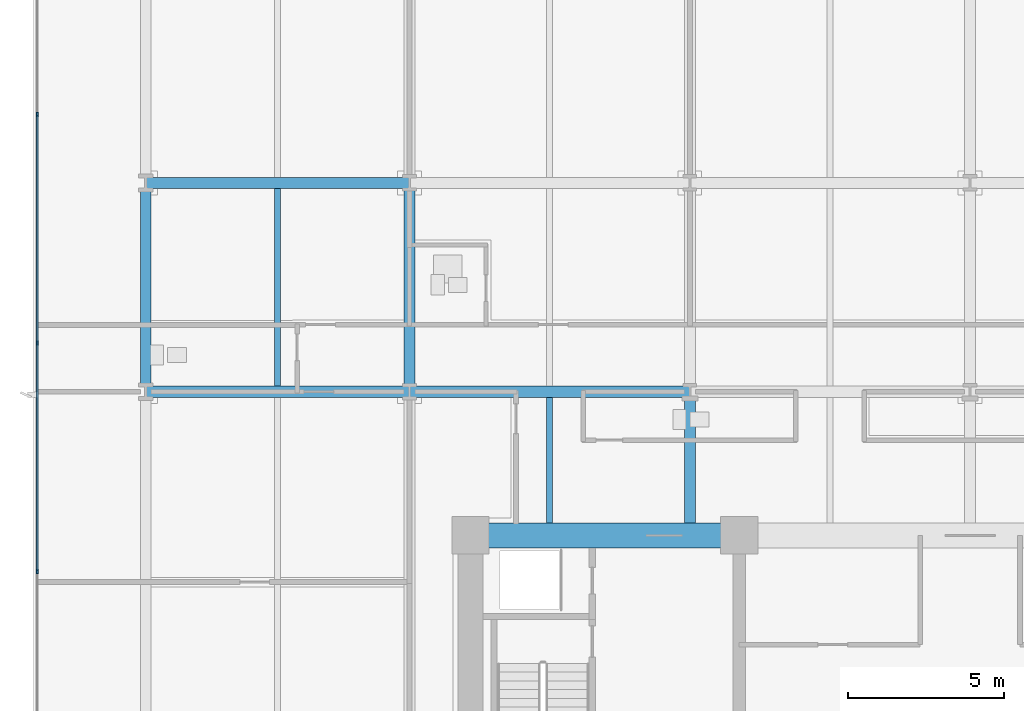
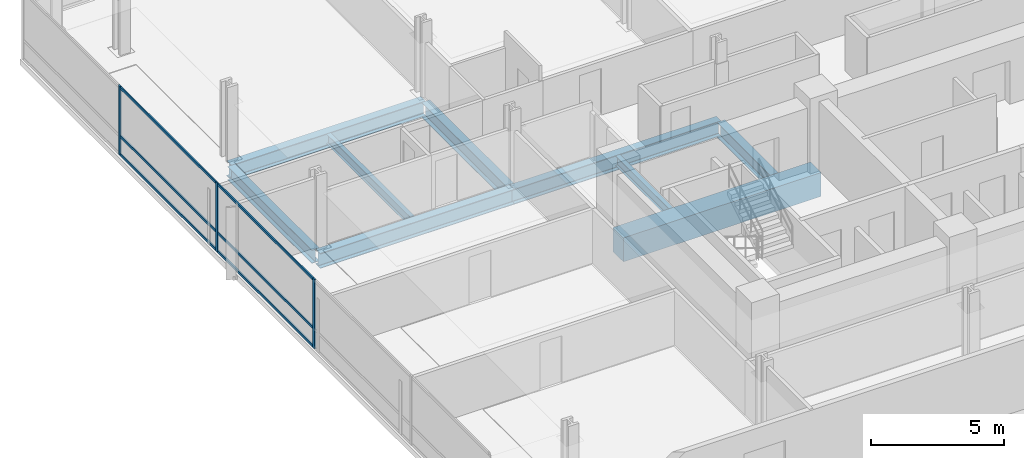
# One storey, part 4 of 21: 9 beams, 9 members, 1 element without a shape of its own.
"""IFC4 building model written with IfcOpenShell, lengths in metres."""

from ifc_helpers import new_model, si_unit, direction, frame, origin, origin_2d, place, context, subcontext, project, spatial, rectangle, i_section, extrude, material, material_profile, profile_set, type_object, element, aggregate, save


model = new_model("IFC4")

# Units and contexts
model_context = context("Model", 3, precision=1e-05, world=origin(), true_north=direction((0.0, 1.0)))
body_context = subcontext(model_context, "Body", "Model", "MODEL_VIEW")
ifc_project = project(units=[si_unit("LENGTHUNIT", "METRE"), si_unit("AREAUNIT", "SQUARE_METRE"), si_unit("VOLUMEUNIT", "CUBIC_METRE"), si_unit("PLANEANGLEUNIT", "RADIAN"), si_unit("MASSUNIT", "GRAM", prefix="KILO")], contexts=[model_context])

# Site, building, storey
site_placement = place(None, origin())
site = spatial("IfcSite", under=ifc_project, at=site_placement, CompositionType="ELEMENT")
building_placement = place(site_placement, origin())
building = spatial("IfcBuilding", under=site, at=building_placement, Name="Solmavex Isthmus Hotel", CompositionType="ELEMENT")
storey_placement = place(building_placement, frame((0.0, 0.0, 54.0)))
storey = spatial("IfcBuildingStorey", under=building, at=storey_placement, Name="L14", CompositionType="ELEMENT", Elevation=54.0)

# Beams
ifc_material_1 = material(Name="Steel ASTM A992 Grade 50", Category="steel")
ifc_material_profile_1 = material_profile(ifc_material_1, i_section(OverallWidth=0.354736328125, OverallDepth=0.695556640625, WebThickness=0.015380859375, FlangeThickness=0.02490234375, FilletRadius=0.017822265625, at=origin_2d()), Name="W27X146")
ifc_profile_set_1 = profile_set([ifc_material_profile_1], Name="Steel ASTM A992 Grade 50")
beam_type_1 = type_object("IfcBeamType", Name="BM-BG-W27X146", PredefinedType="BEAM", material=ifc_profile_set_1)
beam_1_placement = place(storey_placement, frame((-26.39990234375, 2.10009765625, -0.607666015625), z_axis=(1.0, 0.0, 0.0), x_axis=(0.0, 1.0, 0.0)))
element("IfcBeam", 1, at=beam_1_placement, inside=storey, type_object=beam_type_1, Name="Floor Girder L14-UG07", PredefinedType="BEAM", context=body_context, shape_type="SweptSolid", body=[
    extrude(i_section(OverallWidth=0.354736328125, OverallDepth=0.695556640625, WebThickness=0.015380859375, FlangeThickness=0.02490234375, FilletRadius=0.017822265625, at=origin_2d()), origin(), (0.0, 0.0, 1.0), 8.447998046875),
])
beam_2_placement = place(storey_placement, frame((-17.951904296875, 2.10009765625, -0.607666015625), z_axis=(1.0, 0.0, 0.0), x_axis=(0.0, 1.0, 0.0)))
element("IfcBeam", 2, at=beam_2_placement, inside=storey, type_object=beam_type_1, Name="Floor Girder L14-UG08", PredefinedType="BEAM", context=body_context, shape_type="SweptSolid", body=[
    extrude(i_section(OverallWidth=0.354736328125, OverallDepth=0.695556640625, WebThickness=0.015380859375, FlangeThickness=0.02490234375, FilletRadius=0.017822265625, at=origin_2d()), origin(), (0.0, 0.0, 1.0), 8.975830078125),
])
beam_3_placement = place(storey_placement, frame((-26.39990234375, 8.7880859375, -0.607666015625), z_axis=(1.0, 0.0, 0.0), x_axis=(0.0, 1.0, 0.0)))
element("IfcBeam", 3, at=beam_3_placement, inside=storey, type_object=beam_type_1, Name="Floor Girder L14-UG13", PredefinedType="BEAM", context=body_context, shape_type="SweptSolid", body=[
    extrude(i_section(OverallWidth=0.354736328125, OverallDepth=0.695556640625, WebThickness=0.015380859375, FlangeThickness=0.02490234375, FilletRadius=0.017822265625, at=origin_2d()), origin(), (0.0, 0.0, 1.0), 8.447998046875),
])
beam_4_placement = place(storey_placement, frame((-17.951904296875, 2.27734375, -0.607666015625), z_axis=(0.0, 1.0, 0.0), x_axis=(-1.0, 0.0, 0.0)))
element("IfcBeam", 4, at=beam_4_placement, inside=storey, type_object=beam_type_1, Name="Floor Beam L14-VG29", PredefinedType="BEAM", context=body_context, shape_type="SweptSolid", body=[
    extrude(i_section(OverallWidth=0.354736328125, OverallDepth=0.695556640625, WebThickness=0.015380859375, FlangeThickness=0.02490234375, FilletRadius=0.017822265625, at=origin_2d()), origin(), (0.0, 0.0, 1.0), 6.333251953125),
])
beam_5_placement = place(storey_placement, frame((-8.97607421875, -2.10009765625, -0.607666015625), z_axis=(0.0, 1.0, 0.0), x_axis=(-1.0, 0.0, 0.0)))
element("IfcBeam", 5, at=beam_5_placement, inside=storey, type_object=beam_type_1, Name="Floor Beam L14-VG32", PredefinedType="BEAM", context=body_context, shape_type="SweptSolid", body=[
    extrude(i_section(OverallWidth=0.354736328125, OverallDepth=0.695556640625, WebThickness=0.015380859375, FlangeThickness=0.02490234375, FilletRadius=0.017822265625, at=origin_2d()), origin(), (0.0, 0.0, 1.0), 4.022705078125),
])
ifc_material_profile_2 = material_profile(ifc_material_1, i_section(OverallWidth=0.1904296875, OverallDepth=0.456787109375, WebThickness=0.009033203125, FlangeThickness=0.014404296875, FilletRadius=0.0126953125, at=origin_2d()), Name="W18X50")
ifc_profile_set_2 = profile_set([ifc_material_profile_2], Name="Steel ASTM A992 Grade 50")
beam_type_2 = type_object("IfcBeamType", Name="BM-BJ-W18X50", PredefinedType="JOIST", material=ifc_profile_set_2)
beam_6_placement = place(storey_placement, frame((-22.176025390625, 2.27734375, -0.488525390625), z_axis=(0.0, 1.0, 0.0), x_axis=(-1.0, 0.0, 0.0)))
element("IfcBeam", 6, at=beam_6_placement, inside=storey, type_object=beam_type_2, Name="Secondary Floor Joist L14-J02", PredefinedType="JOIST", context=body_context, shape_type="SweptSolid", body=[
    extrude(i_section(OverallWidth=0.1904296875, OverallDepth=0.456787109375, WebThickness=0.009033203125, FlangeThickness=0.014404296875, FilletRadius=0.0126953125, at=origin_2d()), origin(), (0.0, 0.0, 1.0), 6.333251953125),
])
beam_7_placement = place(storey_placement, frame((-13.464111328125, -2.10009765625, -0.488525390625), z_axis=(0.0, 1.0, 0.0), x_axis=(-1.0, 0.0, 0.0)))
element("IfcBeam", 7, at=beam_7_placement, inside=storey, type_object=beam_type_2, Name="Secondary Floor Joist L14-J05", PredefinedType="JOIST", context=body_context, shape_type="SweptSolid", body=[
    extrude(i_section(OverallWidth=0.1904296875, OverallDepth=0.456787109375, WebThickness=0.009033203125, FlangeThickness=0.014404296875, FilletRadius=0.0126953125, at=origin_2d()), origin(), (0.0, 0.0, 1.0), 4.022705078125),
])
ifc_material_2 = material(Name="Concrete C70/85", Category="concrete")
ifc_material_profile_3 = material_profile(ifc_material_2, rectangle(XDim=0.800048828125, YDim=1.10009765625, at=origin_2d()), Name="RC800X1100")
ifc_profile_set_3 = profile_set([ifc_material_profile_3], Name="Concrete C70/85")
beam_type_3 = type_object("IfcBeamType", Name="BM-CB-800X1100", PredefinedType="BEAM", material=ifc_profile_set_3)
beam_8_placement = place(storey_placement, frame((-16.0, -2.5, -0.81005859375), z_axis=(1.0, 0.0, 0.0), x_axis=(0.0, 1.0, 0.0)))
element("IfcBeam", 8, at=beam_8_placement, inside=storey, type_object=beam_type_3, Name="Core Coupling Beam L14-CB4", PredefinedType="BEAM", context=body_context, shape_type="SweptSolid", body=[
    extrude(rectangle(XDim=0.800048828125, YDim=1.10009765625, at=origin_2d()), origin(), (0.0, 0.0, 1.0), 8.60009765625),
])
ifc_material_profile_4 = material_profile(ifc_material_1, i_section(OverallWidth=0.326416015625, OverallDepth=0.621826171875, WebThickness=0.015380859375, FlangeThickness=0.0244140625, FilletRadius=0.01513671875, at=origin_2d()), Name="W24X131")
ifc_profile_set_4 = profile_set([ifc_material_profile_4], Name="Steel ASTM A992 Grade 50")
beam_type_4 = type_object("IfcBeamType", Name="BM-SP-W24X131", PredefinedType="SPANDREL", material=ifc_profile_set_4)
beam_9_placement = place(storey_placement, frame((-26.39990234375, 2.27734375, -0.57080078125), z_axis=(0.0, 1.0, 0.0), x_axis=(-1.0, 0.0, 0.0)))
element("IfcBeam", 9, at=beam_9_placement, inside=storey, type_object=beam_type_4, Name="Floor Beam L14-VG26", PredefinedType="SPANDREL", context=body_context, shape_type="SweptSolid", body=[
    extrude(i_section(OverallWidth=0.326416015625, OverallDepth=0.621826171875, WebThickness=0.015380859375, FlangeThickness=0.0244140625, FilletRadius=0.01513671875, at=origin_2d()), origin(), (0.0, 0.0, 1.0), 6.333251953125),
])

# Curtain wall, members
ifc_material_3 = material(Name="Aluminium alloy 6063-T6", Category="aluminium")
curtain_wall_type = type_object("IfcCurtainWallType", Name="CW-SYS-06", PredefinedType="NOTDEFINED", material=ifc_material_3)
curtain_wall_placement = place(storey_placement, origin())
curtain_wall = element("IfcCurtainWall", 10, at=curtain_wall_placement, inside=storey, type_object=curtain_wall_type, Name="Stick Curtain Wall CWL-L14-W1", PredefinedType="NOTDEFINED")
ifc_material_profile_5 = material_profile(ifc_material_3, rectangle(XDim=0.06005859375, YDim=0.139892578125, at=origin_2d()), Name="CWM-60X140")
ifc_profile_set_5 = profile_set([ifc_material_profile_5], Name="Aluminium alloy 6063-T6")
member_type_1 = type_object("IfcMemberType", Name="CW-SYS-06-MUL", PredefinedType="MULLION", material=ifc_profile_set_5)
member_1_placement = place(storey_placement, frame((-29.8798828125, -3.659912109375, 0.0), z_axis=(0.0, 0.0, 1.0), x_axis=(-1.0, 0.0, 0.0)))
member_1 = element("IfcMember", 11, at=member_1_placement, type_object=member_type_1, Name="CW-06 mullion 3", PredefinedType="MULLION", context=body_context, shape_type="SweptSolid", body=[
    extrude(rectangle(XDim=0.06005859375, YDim=0.139892578125, at=origin_2d()), origin(), (0.0, 0.0, 1.0), 3.18994140625),
])
member_2_placement = place(storey_placement, frame((-29.8798828125, 3.659912109375, 0.0), z_axis=(0.0, 0.0, 1.0), x_axis=(-1.0, 0.0, 0.0)))
member_2 = element("IfcMember", 12, at=member_2_placement, type_object=member_type_1, Name="CW-06 mullion 4", PredefinedType="MULLION", context=body_context, shape_type="SweptSolid", body=[
    extrude(rectangle(XDim=0.06005859375, YDim=0.139892578125, at=origin_2d()), origin(), (0.0, 0.0, 1.0), 3.18994140625),
])
member_3_placement = place(storey_placement, frame((-29.8798828125, 10.97998046875, 0.0), z_axis=(0.0, 0.0, 1.0), x_axis=(-1.0, 0.0, 0.0)))
member_3 = element("IfcMember", 13, at=member_3_placement, type_object=member_type_1, Name="CW-06 mullion 5", PredefinedType="MULLION", context=body_context, shape_type="SweptSolid", body=[
    extrude(rectangle(XDim=0.06005859375, YDim=0.139892578125, at=origin_2d()), origin(), (0.0, 0.0, 1.0), 3.18994140625),
])
ifc_material_profile_6 = material_profile(ifc_material_3, rectangle(XDim=0.06005859375, YDim=0.114990234375, at=origin_2d()), Name="CWT-60X115")
ifc_profile_set_6 = profile_set([ifc_material_profile_6], Name="Aluminium alloy 6063-T6")
member_type_2 = type_object("IfcMemberType", Name="CW-SYS-06-TRN", PredefinedType="USERDEFINED", material=ifc_profile_set_6)
member_4_placement = place(storey_placement, frame((-29.8798828125, -3.6298828125, 0.0576171875), z_axis=(0.0, 1.0, 0.0), x_axis=(-1.0, 0.0, 0.0)))
member_4 = element("IfcMember", 14, at=member_4_placement, type_object=member_type_2, Name="CW-06 transom 3.1", ObjectType="TRANSOM", PredefinedType="USERDEFINED", context=body_context, shape_type="SweptSolid", body=[
    extrude(rectangle(XDim=0.06005859375, YDim=0.114990234375, at=origin_2d()), origin(), (0.0, 0.0, 1.0), 7.259765625),
])
member_5_placement = place(storey_placement, frame((-29.8798828125, -3.6298828125, 0.89990234375), z_axis=(0.0, 1.0, 0.0), x_axis=(-1.0, 0.0, 0.0)))
member_5 = element("IfcMember", 15, at=member_5_placement, type_object=member_type_2, Name="CW-06 transom 3.2", ObjectType="TRANSOM", PredefinedType="USERDEFINED", context=body_context, shape_type="SweptSolid", body=[
    extrude(rectangle(XDim=0.06005859375, YDim=0.114990234375, at=origin_2d()), origin(), (0.0, 0.0, 1.0), 7.259765625),
])
member_6_placement = place(storey_placement, frame((-29.8798828125, -3.6298828125, 3.132568359375), z_axis=(0.0, 1.0, 0.0), x_axis=(-1.0, 0.0, 0.0)))
member_6 = element("IfcMember", 16, at=member_6_placement, type_object=member_type_2, Name="CW-06 transom 3.3", ObjectType="TRANSOM", PredefinedType="USERDEFINED", context=body_context, shape_type="SweptSolid", body=[
    extrude(rectangle(XDim=0.06005859375, YDim=0.114990234375, at=origin_2d()), origin(), (0.0, 0.0, 1.0), 7.259765625),
])
member_7_placement = place(storey_placement, frame((-29.8798828125, 3.68994140625, 0.0576171875), z_axis=(0.0, 1.0, 0.0), x_axis=(-1.0, 0.0, 0.0)))
member_7 = element("IfcMember", 17, at=member_7_placement, type_object=member_type_2, Name="CW-06 transom 4.1", ObjectType="TRANSOM", PredefinedType="USERDEFINED", context=body_context, shape_type="SweptSolid", body=[
    extrude(rectangle(XDim=0.06005859375, YDim=0.114990234375, at=origin_2d()), origin(), (0.0, 0.0, 1.0), 7.260009765625),
])
member_8_placement = place(storey_placement, frame((-29.8798828125, 3.68994140625, 0.89990234375), z_axis=(0.0, 1.0, 0.0), x_axis=(-1.0, 0.0, 0.0)))
member_8 = element("IfcMember", 18, at=member_8_placement, type_object=member_type_2, Name="CW-06 transom 4.2", ObjectType="TRANSOM", PredefinedType="USERDEFINED", context=body_context, shape_type="SweptSolid", body=[
    extrude(rectangle(XDim=0.06005859375, YDim=0.114990234375, at=origin_2d()), origin(), (0.0, 0.0, 1.0), 7.260009765625),
])
member_9_placement = place(storey_placement, frame((-29.8798828125, 3.68994140625, 3.132568359375), z_axis=(0.0, 1.0, 0.0), x_axis=(-1.0, 0.0, 0.0)))
member_9 = element("IfcMember", 19, at=member_9_placement, type_object=member_type_2, Name="CW-06 transom 4.3", ObjectType="TRANSOM", PredefinedType="USERDEFINED", context=body_context, shape_type="SweptSolid", body=[
    extrude(rectangle(XDim=0.06005859375, YDim=0.114990234375, at=origin_2d()), origin(), (0.0, 0.0, 1.0), 7.260009765625),
])
aggregate(curtain_wall, [member_1, member_2, member_3, member_4, member_5, member_6, member_7, member_8, member_9])

save(model, "model.ifc")
